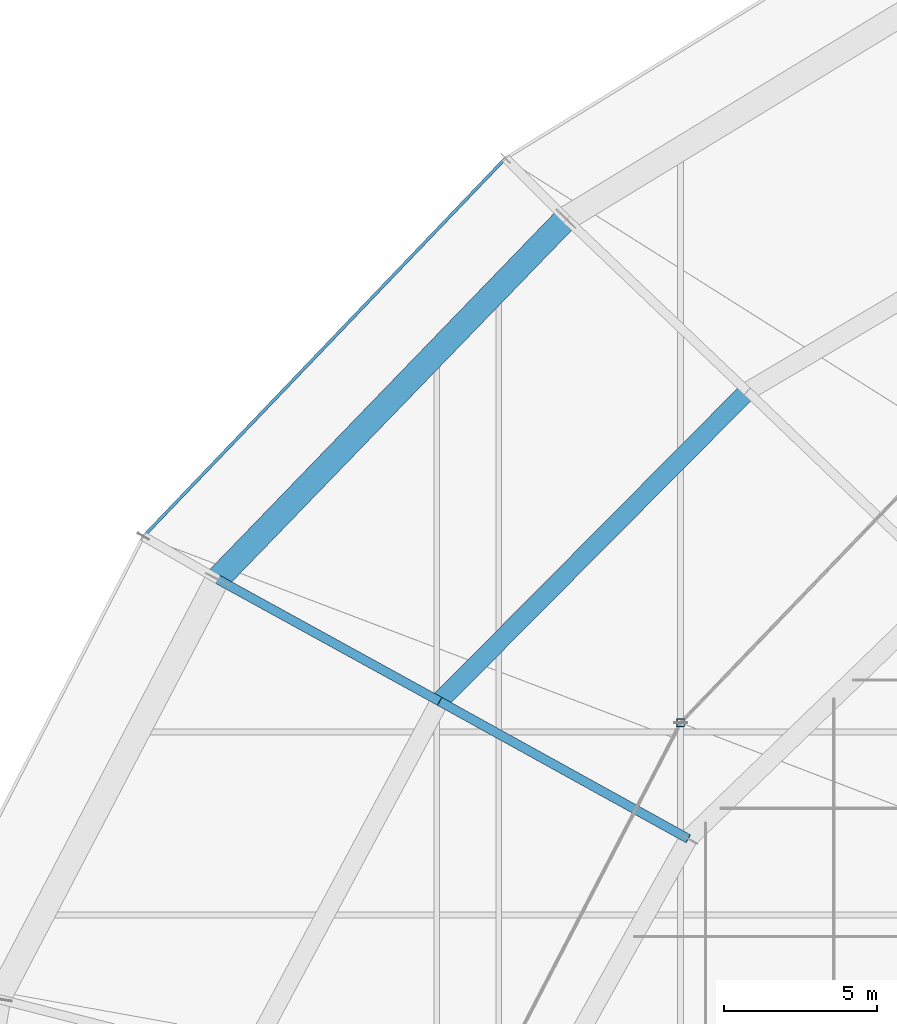
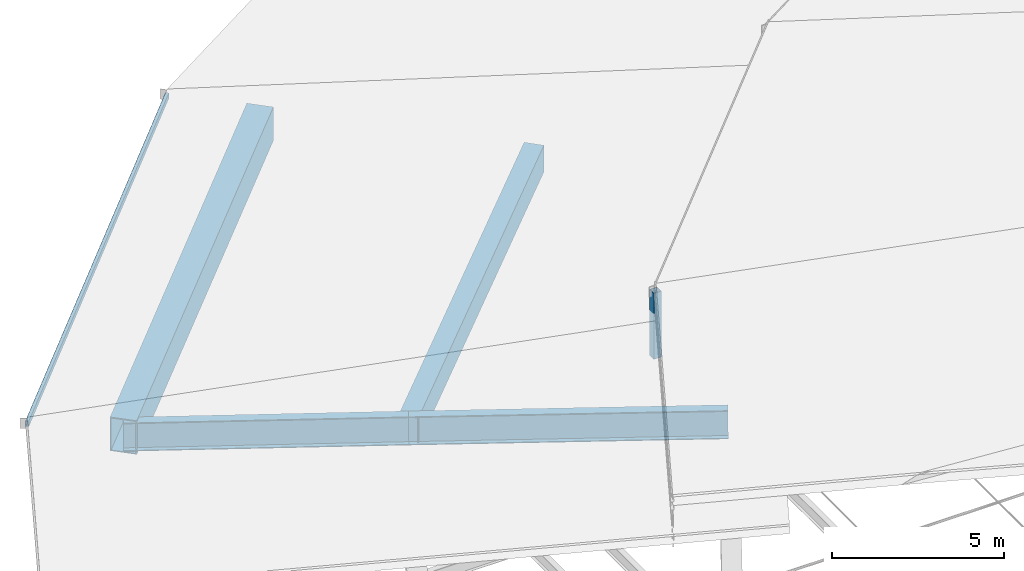
# One storey, part 96 of 184: 4 beams, 2 members.
"""IFC4 building model written with IfcOpenShell, lengths in metres."""

from ifc_helpers import new_model, si_unit, direction, frame, origin, origin_2d, place, context, subcontext, project, spatial, hollow_rectangle, i_section, extrude, material, material_profile, profile_set, type_object, element, save


model = new_model("IFC4")

# Units and contexts
model_context = context("Model", 3, precision=1e-05, world=origin(), true_north=direction((0.0, 1.0)))
body_context = subcontext(model_context, "Body", "Model", "MODEL_VIEW")
ifc_project = project(units=[si_unit("LENGTHUNIT", "METRE"), si_unit("AREAUNIT", "SQUARE_METRE"), si_unit("VOLUMEUNIT", "CUBIC_METRE"), si_unit("PLANEANGLEUNIT", "RADIAN"), si_unit("MASSUNIT", "GRAM", prefix="KILO")], contexts=[model_context])

# Site, building, storey
site_placement = place(None, origin())
site = spatial("IfcSite", under=ifc_project, at=site_placement, CompositionType="ELEMENT")
building_placement = place(site_placement, origin())
building = spatial("IfcBuilding", under=site, at=building_placement, Name="Kalgoora Escarpment Arena", CompositionType="ELEMENT")
storey_placement = place(building_placement, frame((0.0, 0.0, 27.60009765625)))
storey = spatial("IfcBuildingStorey", under=building, at=storey_placement, Name="Roof Level", CompositionType="ELEMENT", Elevation=27.60009765625)

# Beams
ifc_material_1 = material(Name="Structural steel Grade 350 (350 MPa)", Category="steel")
ifc_material_profile_1 = material_profile(ifc_material_1, hollow_rectangle(XDim=0.800048828125, YDim=1.199951171875, WallThickness=0.031982421875, at=origin_2d()))
ifc_profile_set_1 = profile_set([ifc_material_profile_1], Name="Structural steel Grade 350 (350 MPa)")
beam_type_1 = type_object("IfcBeamType", Name="BM-RING-BOX1200", PredefinedType="USERDEFINED", material=ifc_profile_set_1)
beam_1_placement = place(storey_placement, frame((41.629638671875, 104.30517578125, -1.4501953125), z_axis=(-0.694974435465, -0.719034445663, 0.0), x_axis=(0.719034445663, -0.694974435465, 0.0)))
element("IfcBeam", 1, at=beam_1_placement, inside=storey, type_object=beam_type_1, Name="Outer perimeter compression RING BEAM chord 10", ObjectType="GIRDER", PredefinedType="USERDEFINED", context=body_context, shape_type="SweptSolid", body=[
    extrude(hollow_rectangle(XDim=0.800048828125, YDim=1.199951171875, WallThickness=0.031982421875, at=origin_2d()), origin(), (0.0, 0.0, 1.0), 16.418212890625),
])
ifc_material_2 = material(Name="Structural steel Grade 350 (350 MPa)", Category="steel")
ifc_material_profile_2 = material_profile(ifc_material_2, hollow_rectangle(XDim=0.60009765625, YDim=0.949951171875, WallThickness=0.02490234375, at=origin_2d()))
ifc_profile_set_2 = profile_set([ifc_material_profile_2], Name="Structural steel Grade 350 (350 MPa)")
beam_type_2 = type_object("IfcBeamType", Name="BM-RING-BOX950", PredefinedType="USERDEFINED", material=ifc_profile_set_2)
beam_2_placement = place(storey_placement, frame((47.5693359375, 98.648193359375, -1.35009765625), z_axis=(-0.704558426859, -0.709645984377, 0.0), x_axis=(0.709645984377, -0.704558426859, 0.0)))
element("IfcBeam", 2, at=beam_2_placement, inside=storey, type_object=beam_type_2, Name="Concourse roof RING BEAM chord 10", ObjectType="GIRDER", PredefinedType="USERDEFINED", context=body_context, shape_type="SweptSolid", body=[
    extrude(hollow_rectangle(XDim=0.60009765625, YDim=0.949951171875, WallThickness=0.02490234375, at=origin_2d()), origin(), (0.0, 0.0, 1.0), 14.30029296875),
])
ifc_material_3 = material(Name="Structural steel Grade 350 (350 MPa)", Category="steel")
ifc_material_profile_3 = material_profile(ifc_material_3, i_section(OverallWidth=0.300048828125, OverallDepth=1.010009765625, WebThickness=0.01611328125, FlangeThickness=0.030029296875, at=origin_2d()))
ifc_profile_set_3 = profile_set([ifc_material_profile_3], Name="Structural steel Grade 350 (350 MPa)")
beam_type_3 = type_object("IfcBeamType", Name="BM-TRUSS-CHORD", PredefinedType="USERDEFINED", material=ifc_profile_set_3)
beam_3_placement = place(storey_placement, frame((30.219482421875, 92.5, -1.400146484375), z_axis=(0.876199402957, -0.481797926502, 0.012056710807), x_axis=(0.481832948424, 0.876263093947, 0.0)))
element("IfcBeam", 3, at=beam_3_placement, inside=storey, type_object=beam_type_3, Name="Outer radial petal support girder R11", ObjectType="GIRDER", PredefinedType="USERDEFINED", context=body_context, shape_type="SweptSolid", body=[
    extrude(i_section(OverallWidth=0.300048828125, OverallDepth=1.010009765625, WebThickness=0.01611328125, FlangeThickness=0.030029296875, at=origin_2d()), origin(), (0.0, 0.0, 1.0), 8.30224609375),
])
beam_4_placement = place(storey_placement, frame((37.493896484375, 88.5, -1.300048828125), z_axis=(0.875134962309, -0.483759825614, 0.010734470957), x_axis=(0.483787699571, 0.875185387072, 0.0)))
element("IfcBeam", 4, at=beam_4_placement, inside=storey, type_object=beam_type_3, Name="Inner radial petal support girder R11", ObjectType="GIRDER", PredefinedType="USERDEFINED", context=body_context, shape_type="SweptSolid", body=[
    extrude(i_section(OverallWidth=0.300048828125, OverallDepth=1.010009765625, WebThickness=0.01611328125, FlangeThickness=0.030029296875, at=origin_2d()), origin(), (0.0, 0.0, 1.0), 9.30224609375),
])

# Members
ifc_material_4 = material(Name="Structural steel C450 (450 MPa)", Category="steel")
ifc_material_profile_4 = material_profile(ifc_material_4, hollow_rectangle(XDim=0.25, YDim=0.25, WallThickness=0.012451171875, at=origin_2d()))
ifc_profile_set_4 = profile_set([ifc_material_profile_4], Name="Structural steel C450 (450 MPa)")
member_type_1 = type_object("IfcMemberType", Name="MEM-PETAL-POST", PredefinedType="POST", material=ifc_profile_set_4)
member_1_placement = place(storey_placement, frame((45.385009765625, 87.800048828125, -1.080078125), z_axis=(0.0, 0.0, 1.0), x_axis=(1.0, 0.0, 0.0)))
element("IfcMember", 5, at=member_1_placement, inside=storey, type_object=member_type_1, Name="Petal RP2 vertical support post S11", PredefinedType="POST", context=body_context, shape_type="SweptSolid", body=[
    extrude(hollow_rectangle(XDim=0.25, YDim=0.25, WallThickness=0.012451171875, at=origin_2d()), origin(), (0.0, 0.0, 1.0), 2.344970703125),
])
ifc_material_5 = material(Name="Structural steel C350 (350 MPa)", Category="steel")
ifc_material_profile_5 = material_profile(ifc_material_5, hollow_rectangle(XDim=0.10009765625, YDim=0.199951171875, WallThickness=0.009033203125, at=origin_2d()))
ifc_profile_set_5 = profile_set([ifc_material_profile_5], Name="Structural steel C350 (350 MPa)")
member_type_2 = type_object("IfcMemberType", Name="MEM-PURLIN-RHS", PredefinedType="PURLIN", material=ifc_profile_set_5)
member_2_placement = place(storey_placement, frame((39.64990234375, 106.284912109375, -1.02001953125), z_axis=(-0.691494829902, -0.722381409104, 0.0), x_axis=(0.722381409104, -0.691494829902, 0.0)))
element("IfcMember", 6, at=member_2_placement, inside=storey, type_object=member_type_2, Name="Petal RP1 eave support ring purlin S10", PredefinedType="PURLIN", context=body_context, shape_type="SweptSolid", body=[
    extrude(hollow_rectangle(XDim=0.10009765625, YDim=0.199951171875, WallThickness=0.009033203125, at=origin_2d()), origin(), (0.0, 0.0, 1.0), 17.144775390625),
])

save(model, "model.ifc")
